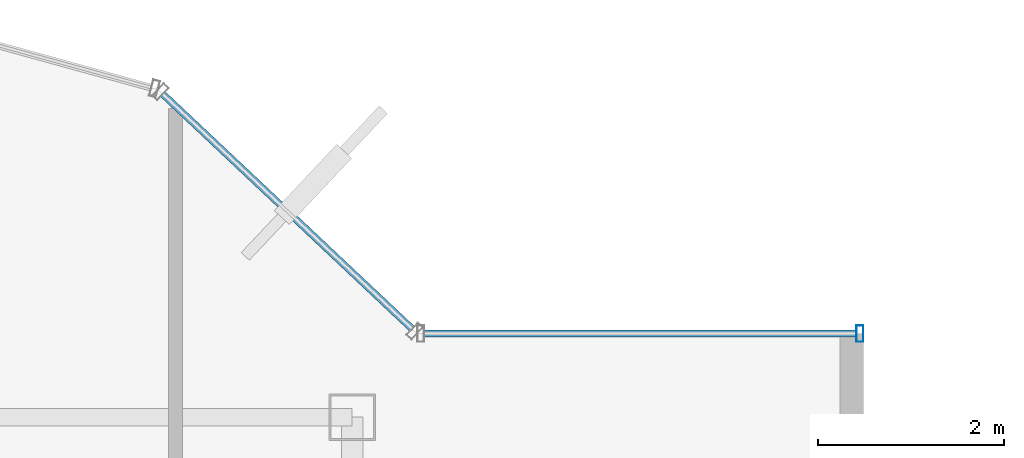
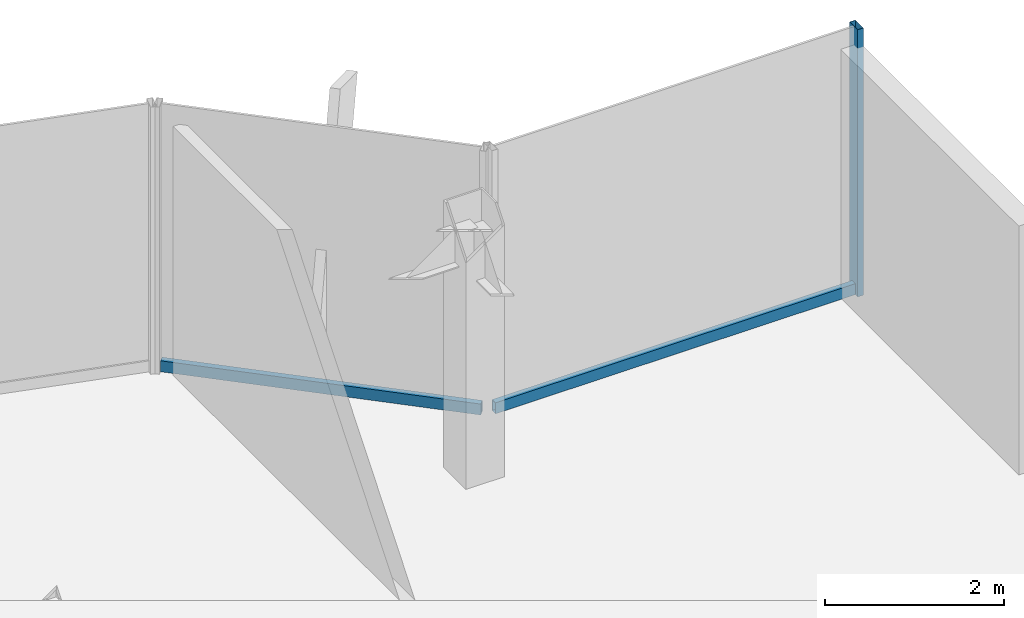
# One storey, part 15 of 22: 3 members, 2 elements without a shape of their own.
"""IFC4 building model written with IfcOpenShell, lengths in metres."""

import ifcopenshell
import ifcopenshell.guid

model = None  # the IFC model being written
_history = None  # IfcOwnerHistory: only IFC2X3 demands one
_inside = {}  # id of a spatial element -> (the spatial element, [elements in it])
_under = {}  # id of a project, library or spatial element -> (it, [spatial elements below it])
_declared = {}  # id of a project -> (the project, [libraries it declares])
_typed = {}  # id of a type object -> (the type object, [elements of that type])
_made_of = {}  # id of a material, layer set ... -> (it, [elements and type objects made of it])


def new_model(schema):
    """Start an empty IFC model of exactly this schema.

    Asked for "IFC4X3", IfcOpenShell would pick the latest addendum, in which some entities
    have other attributes; the version numbers below select the first issue.
    IFC2X3 requires an IfcOwnerHistory on every rooted entity: one is made here for all.
    """
    global model, _history
    if schema == "IFC4X3":
        model = ifcopenshell.file(schema_version=(4, 3, 0, 0))
    else:
        model = ifcopenshell.file(schema=schema)
    _inside.clear()
    _under.clear()
    _declared.clear()
    _typed.clear()
    _made_of.clear()
    _history = None
    if model.schema == "IFC2X3":
        org = make("IfcOrganization", Name="unknown")
        user = make(
            "IfcPersonAndOrganization",
            ThePerson=make("IfcPerson", FamilyName="unknown"),
            TheOrganization=org,
        )
        app = make(
            "IfcApplication",
            ApplicationDeveloper=org,
            Version="unknown",
            ApplicationFullName="unknown",
            ApplicationIdentifier="unknown",
        )
        _history = make(
            "IfcOwnerHistory",
            OwningUser=user,
            OwningApplication=app,
            ChangeAction="ADDED",
            CreationDate=0,
        )
    return model


def make(cls, **values):
    """One entity of the class cls with the attributes given. An attribute that is None is left unset."""
    return model.create_entity(
        cls, **{name: value for name, value in values.items() if value is not None}
    )


def rooted(cls, **values):
    """An entity with a GlobalId (a new one), such as an element, a storey or a relation."""
    return make(cls, GlobalId=ifcopenshell.guid.new(), OwnerHistory=_history, **values)


def si_unit(unit_type, name, prefix=None):
    """IfcSIUnit, for example si_unit("LENGTHUNIT", "METRE", prefix="MILLI")."""
    return make("IfcSIUnit", UnitType=unit_type, Prefix=prefix, Name=name)


def derived_unit(unit_type, elements):
    """IfcDerivedUnit: a product of units, each with its exponent."""
    return make(
        "IfcDerivedUnit",
        Elements=[
            make("IfcDerivedUnitElement", Unit=unit, Exponent=power)
            for unit, power in elements
        ],
        UnitType=unit_type,
    )


def assignment(units):
    """IfcUnitAssignment: the units of a project."""
    return None if units is None else make("IfcUnitAssignment", Units=units)


def point(xyz):
    """IfcCartesianPoint."""
    return None if xyz is None else make("IfcCartesianPoint", Coordinates=xyz)


def direction(xyz):
    """IfcDirection."""
    return None if xyz is None else make("IfcDirection", DirectionRatios=xyz)


def frame(location, z_axis=None, x_axis=None):
    """IfcAxis2Placement3D, a coordinate frame: its origin and axes. An axis left out is left unset."""
    return make(
        "IfcAxis2Placement3D",
        Location=point(location),
        Axis=direction(z_axis),
        RefDirection=direction(x_axis),
    )


def frame_2d(location, x_axis=None):
    """IfcAxis2Placement2D, a coordinate frame in the plane: its origin and x axis."""
    return make(
        "IfcAxis2Placement2D", Location=point(location), RefDirection=direction(x_axis)
    )


def origin():
    """The frame at (0, 0, 0) with its axes left unset."""
    return frame((0.0, 0.0, 0.0))


def origin_2d():
    """The frame at (0, 0) in the plane with its x axis left unset."""
    return frame_2d((0.0, 0.0))


def place(relative_to, where):
    """IfcLocalPlacement: puts the frame where relative to a parent placement (None: the world)."""
    return make(
        "IfcLocalPlacement", PlacementRelTo=relative_to, RelativePlacement=where
    )


def context(
    kind, dimensions, precision=None, world=None, true_north=None, identifier=None
):
    """IfcGeometricRepresentationContext, for example the 3D "Model" context."""
    return make(
        "IfcGeometricRepresentationContext",
        ContextIdentifier=identifier,
        ContextType=kind,
        CoordinateSpaceDimension=dimensions,
        Precision=precision,
        WorldCoordinateSystem=world,
        TrueNorth=true_north,
    )


def subcontext(parent, identifier, kind, view, scale=None):
    """IfcGeometricRepresentationSubContext, for example "Body" below "Model"."""
    return make(
        "IfcGeometricRepresentationSubContext",
        ContextIdentifier=identifier,
        ContextType=kind,
        ParentContext=parent,
        TargetScale=scale,
        TargetView=view,
    )


def project(units=None, contexts=None):
    """IfcProject with its units and contexts."""
    return rooted(
        "IfcProject",
        Name="project",
        RepresentationContexts=contexts,
        UnitsInContext=assignment(units),
    )


def spatial(cls, under=None, at=None, **own):
    """A site, building, storey or space (cls), placed at a placement, below another one or the project."""
    s = rooted(cls, ObjectPlacement=at, **own)
    if under is not None:
        _under.setdefault(under.id(), (under, []))[1].append(s)
    return s


def profile(cls, at=None, kind="AREA", **sizes):
    """A parametric profile (cls). Its sizes go by their IFC names, for example OverallWidth=200.0."""
    return make(cls, ProfileType=kind, Position=at, **sizes)


def hollow_rectangle(**sizes):
    """IfcRectangleHollowProfileDef."""
    return profile("IfcRectangleHollowProfileDef", **sizes)


def extrude(swept, where, along, depth):
    """IfcExtrudedAreaSolid: the profile swept, set in the frame where, extruded along a direction by depth."""
    return make(
        "IfcExtrudedAreaSolid",
        SweptArea=swept,
        Position=where,
        ExtrudedDirection=direction(along),
        Depth=depth,
    )


def shape(context_of_items, identifier, shape_type, items):
    """IfcShapeRepresentation: the items that make up one representation, for example the "Body"."""
    return make(
        "IfcShapeRepresentation",
        ContextOfItems=context_of_items,
        RepresentationIdentifier=identifier,
        RepresentationType=shape_type,
        Items=items,
    )


def source(mapping_origin, context_of_items, identifier, shape_type, items):
    """IfcRepresentationMap: a shape defined once, which mapped items show again and again."""
    return make(
        "IfcRepresentationMap",
        MappingOrigin=mapping_origin,
        MappedRepresentation=shape(context_of_items, identifier, shape_type, items),
    )


def transform(
    local_origin,
    x_axis=None,
    y_axis=None,
    z_axis=None,
    scale=None,
    scale2=None,
    scale3=None,
    uniform=True,
):
    """IfcCartesianTransformationOperator3D, or its non-uniform kind. x_axis, y_axis, z_axis: its Axis1, 2, 3."""
    if uniform:
        return make(
            "IfcCartesianTransformationOperator3D",
            Axis1=direction(x_axis),
            Axis2=direction(y_axis),
            LocalOrigin=point(local_origin),
            Scale=scale,
            Axis3=direction(z_axis),
        )
    return make(
        "IfcCartesianTransformationOperator3DnonUniform",
        Axis1=direction(x_axis),
        Axis2=direction(y_axis),
        LocalOrigin=point(local_origin),
        Scale=scale,
        Axis3=direction(z_axis),
        Scale2=scale2,
        Scale3=scale3,
    )


def mapped(mapping_source, mapping_target):
    """IfcMappedItem: shows the shape of a source again, moved by a transform."""
    return make(
        "IfcMappedItem", MappingSource=mapping_source, MappingTarget=mapping_target
    )


def material(Name=None, Category=None):
    """IfcMaterial."""
    return make("IfcMaterial", Name=Name, Category=Category)


def material_profile(
    of_material, cross_section, Name=None, Category=None, Priority=None
):
    """IfcMaterialProfile: a cross section and its material."""
    return make(
        "IfcMaterialProfile",
        Name=Name,
        Material=of_material,
        Profile=cross_section,
        Priority=Priority,
        Category=Category,
    )


def profile_set(profiles, Name=None, composite=None):
    """IfcMaterialProfileSet."""
    return make(
        "IfcMaterialProfileSet",
        Name=Name,
        MaterialProfiles=profiles,
        CompositeProfile=composite,
    )


def made_of(thing, what):
    """Note that an element or type object is made of a material, layer set ...; save() writes the relation."""
    if what is not None:
        _made_of.setdefault(what.id(), (what, []))[1].append(thing)
    return thing


def type_object(cls, material=None, **own):
    """A type object (cls), such as IfcWallType, which elements share."""
    return made_of(rooted(cls, **own), material)


def element(
    cls,
    number,
    at=None,
    inside=None,
    cuts=None,
    type_object=None,
    material=None,
    context=None,
    identifier="Body",
    shape_type=None,
    held_by="IfcProductDefinitionShape",
    body=None,
    shapes=None,
    **own,
):
    """One element of the class cls, such as IfcWall. Its Tag is "e" and its number.

    at: its placement. inside: the storey or other place that contains it. cuts: it is an
    opening in that element (IfcRelVoidsElement). A single representation is given by context,
    identifier, shape_type and body (its items); several are given by shapes. held_by: the class
    of the entity that holds the representations. save() writes the other relations.
    """
    e = rooted(cls, Tag="e%d" % number, ObjectPlacement=at, **own)
    if body is not None:
        shapes = [shape(context, identifier, shape_type, body)]
    if shapes is not None:
        e.Representation = make(held_by, Representations=shapes)
    if inside is not None:
        _inside.setdefault(inside.id(), (inside, []))[1].append(e)
    if cuts is not None:
        rooted(
            "IfcRelVoidsElement", RelatingBuildingElement=cuts, RelatedOpeningElement=e
        )
    if type_object is not None:
        _typed.setdefault(type_object.id(), (type_object, []))[1].append(e)
    return made_of(e, material)


def aggregate(whole, parts):
    """IfcRelAggregates: a whole, such as a stair, and the parts it consists of."""
    return rooted("IfcRelAggregates", RelatingObject=whole, RelatedObjects=parts)


def save(model, path):
    """Write the relations noted so far, then the file.

    IfcRelAggregates (storeys below a building ...), IfcRelContainedInSpatialStructure (elements
    in a storey), IfcRelDefinesByType, IfcRelAssociatesMaterial and IfcRelDeclares: one each for
    every whole, place, type object, material and project.
    """
    for whole, parts in _under.values():
        aggregate(whole, parts)
    for where, things in _inside.values():
        rooted(
            "IfcRelContainedInSpatialStructure",
            RelatedElements=things,
            RelatingStructure=where,
        )
    for kind, things in _typed.values():
        rooted("IfcRelDefinesByType", RelatedObjects=things, RelatingType=kind)
    for what, things in _made_of.values():
        rooted("IfcRelAssociatesMaterial", RelatedObjects=things, RelatingMaterial=what)
    for by, libraries in _declared.values():
        rooted("IfcRelDeclares", RelatingContext=by, RelatedDefinitions=libraries)
    model.write(path)


model = new_model("IFC4")

# Units and contexts
model_context = context("Model", 3, precision=1e-05, world=origin(), true_north=direction((0.0, 1.0)))
body_context = subcontext(model_context, "Body", "Model", "MODEL_VIEW")
ifc_project = project(units=[si_unit("LENGTHUNIT", "METRE"), si_unit("AREAUNIT", "SQUARE_METRE"), si_unit("VOLUMEUNIT", "CUBIC_METRE"), si_unit("PLANEANGLEUNIT", "RADIAN"), si_unit("MASSUNIT", "GRAM", prefix="KILO"), derived_unit("THERMALTRANSMITTANCEUNIT", [(si_unit("POWERUNIT", "WATT"), 1), (si_unit("LENGTHUNIT", "METRE"), -2), (si_unit("THERMODYNAMICTEMPERATUREUNIT", "KELVIN"), -1)])], contexts=[model_context])

# Site, building, storey
site_placement = place(None, origin())
site = spatial("IfcSite", under=ifc_project, at=site_placement, CompositionType="ELEMENT")
building_placement = place(site_placement, origin())
building = spatial("IfcBuilding", under=site, at=building_placement, Name="Skarnbrae Concourse Arena and Tower", CompositionType="ELEMENT")
storey_placement = place(building_placement, frame((0.0, 0.0, 228.75)))
storey = spatial("IfcBuildingStorey", under=building, at=storey_placement, Name="L59", CompositionType="ELEMENT", Elevation=228.75)

# Curtain wall, members
ifc_material = material(Name="Bronze anodised aluminium 6063-T6", Category="aluminium")
curtain_wall_type = type_object("IfcCurtainWallType", Name="CW-SYS-05-HIGHZONE", PredefinedType="USERDEFINED", material=ifc_material)
curtain_wall_1_placement = place(storey_placement, origin())
curtain_wall_1 = element("IfcCurtainWall", 1, at=curtain_wall_1_placement, inside=storey, type_object=curtain_wall_type, Name="L59 Unitised curtain wall CW-L59-E07", ObjectType="UNITISED CURTAIN WALL", PredefinedType="USERDEFINED")
ifc_material_profile_1 = material_profile(ifc_material, hollow_rectangle(XDim=0.074951171875, YDim=0.179931640625, WallThickness=0.00390625, at=origin_2d()), Name="ALU-MULL-75X180")
ifc_profile_set_1 = profile_set([ifc_material_profile_1], Name="Bronze anodised aluminium 6063-T6")
member_type_1 = type_object("IfcMemberType", Name="CWM-CW-05", PredefinedType="MULLION", material=ifc_profile_set_1)
shared_shape_1 = source(origin(), body_context, "Body", "SweptSolid", [
    extrude(hollow_rectangle(XDim=0.074951171875, YDim=0.179931640625, WallThickness=0.00390625, at=origin_2d()), origin(), (0.0, 0.0, 1.0), 3.64990234375),
])
member_1_placement = place(storey_placement, frame((38.96240234375, 35.300048828125, 0.0), z_axis=(0.0, 0.0, 1.0), x_axis=(-1.0, 0.0, 0.0)))
member_1 = element("IfcMember", 2, at=member_1_placement, type_object=member_type_1, Name="CW-L59-E07 Mullion 1", PredefinedType="MULLION", context=body_context, shape_type="MappedRepresentation", body=[
    mapped(shared_shape_1, transform((0.0, 0.0, 0.0))),
])
ifc_material_profile_2 = material_profile(ifc_material, hollow_rectangle(XDim=0.074951171875, YDim=0.14990234375, WallThickness=0.00390625, at=origin_2d()), Name="ALU-TRAN-75X150")
ifc_profile_set_2 = profile_set([ifc_material_profile_2], Name="Bronze anodised aluminium 6063-T6")
member_type_2 = type_object("IfcMemberType", Name="CWT-CW-05", PredefinedType="USERDEFINED", material=ifc_profile_set_2)
shared_shape_2 = source(origin(), body_context, "Body", "SweptSolid", [
    extrude(hollow_rectangle(XDim=0.074951171875, YDim=0.14990234375, WallThickness=0.00390625, at=origin_2d()), origin(), (0.0, 0.0, 1.0), 4.650146484375),
])
member_2_placement = place(storey_placement, frame((38.925048828125, 35.300048828125, 0.074951171875), z_axis=(-1.0, 0.0, 0.0), x_axis=(0.0, -1.0, 0.0)))
member_2 = element("IfcMember", 3, at=member_2_placement, type_object=member_type_2, Name="CW-L59-E07 Transom 1", ObjectType="TRANSOM", PredefinedType="USERDEFINED", context=body_context, shape_type="MappedRepresentation", body=[
    mapped(shared_shape_2, transform((0.0, 0.0, 0.0))),
])
aggregate(curtain_wall_1, [member_1, member_2])

# Curtain wall, member
curtain_wall_2_placement = place(storey_placement, origin())
curtain_wall_2 = element("IfcCurtainWall", 4, at=curtain_wall_2_placement, inside=storey, type_object=curtain_wall_type, Name="L59 Unitised curtain wall CW-L59-E08", ObjectType="UNITISED CURTAIN WALL", PredefinedType="USERDEFINED")
shared_shape_3 = source(origin(), body_context, "Body", "SweptSolid", [
    extrude(hollow_rectangle(XDim=0.074951171875, YDim=0.14990234375, WallThickness=0.00390625, at=origin_2d()), origin(), (0.0, 0.0, 1.0), 3.68212890625),
])
member_3_placement = place(storey_placement, frame((34.1455078125, 35.351318359375, 0.074951171875), z_axis=(-0.728133808476, 0.685435012933, 0.0), x_axis=(-0.685435012933, -0.728133808476, 0.0)))
member_3 = element("IfcMember", 5, at=member_3_placement, type_object=member_type_2, Name="CW-L59-E08 Transom 1", ObjectType="TRANSOM", PredefinedType="USERDEFINED", context=body_context, shape_type="MappedRepresentation", body=[
    mapped(shared_shape_3, transform((0.0, 0.0, 0.0))),
])
aggregate(curtain_wall_2, [member_3])

save(model, "model.ifc")
